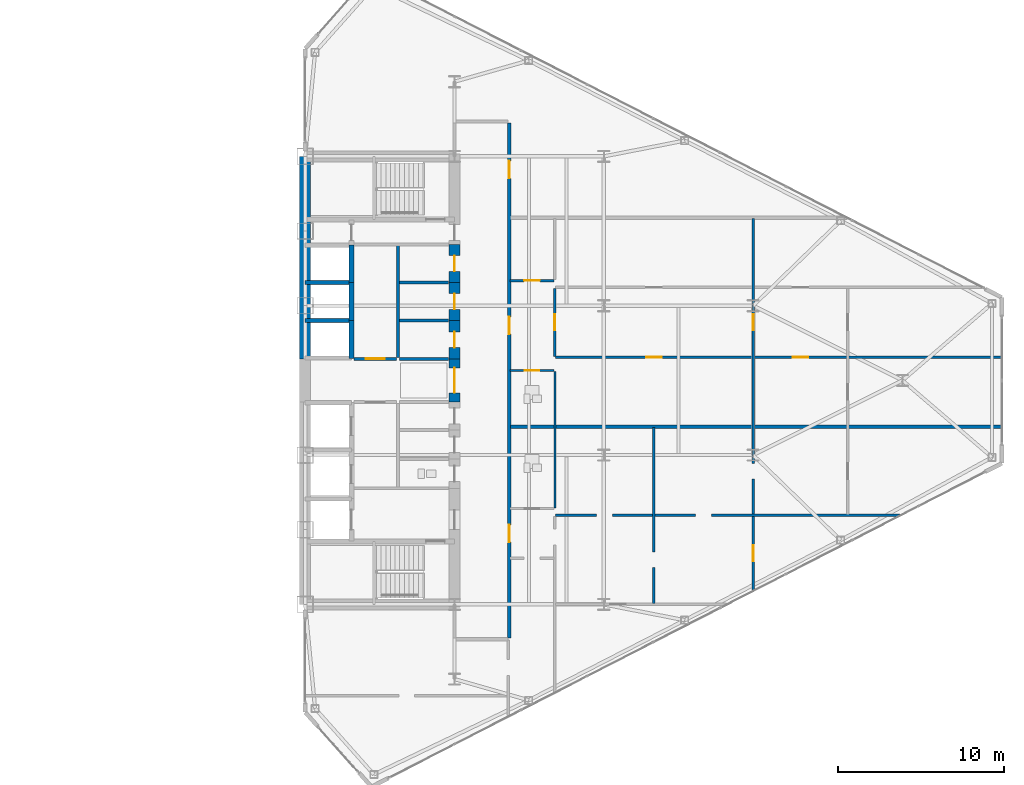
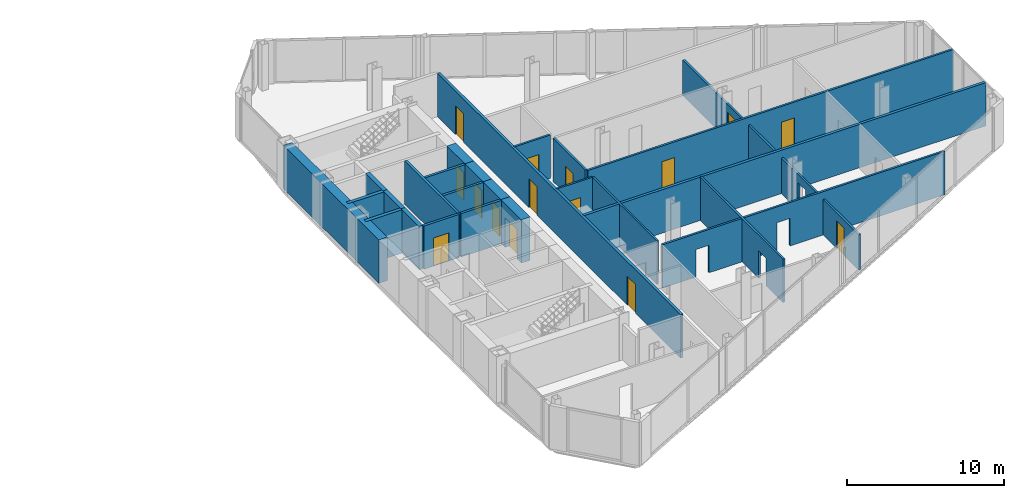
# One storey, part 20 of 24: 25 walls, 15 doors, 19 openings.
"""IFC4 building model written with IfcOpenShell, lengths in metres."""

from ifc_helpers import new_model, si_unit, direction, frame, frame_2d, origin, place, context, subcontext, project, spatial, rectangle, extrude, source, transform, mapped, material, layer, layer_set, type_object, type_shapes, element, fill, save


model = new_model("IFC4")

# Units and contexts
model_context = context("Model", 3, precision=1e-05, world=origin(), true_north=direction((0.0, 1.0)))
body_context = subcontext(model_context, "Body", "Model", "MODEL_VIEW")
ifc_project = project(units=[si_unit("LENGTHUNIT", "METRE"), si_unit("AREAUNIT", "SQUARE_METRE"), si_unit("VOLUMEUNIT", "CUBIC_METRE"), si_unit("PLANEANGLEUNIT", "RADIAN"), si_unit("MASSUNIT", "GRAM", prefix="KILO")], contexts=[model_context])

# Site, building, storey
site_placement = place(None, origin())
site = spatial("IfcSite", under=ifc_project, at=site_placement, CompositionType="ELEMENT")
building_placement = place(site_placement, origin())
building = spatial("IfcBuilding", under=site, at=building_placement, Name="Seokmaru Belvedere", CompositionType="ELEMENT")
storey_placement = place(building_placement, frame((0.0, 0.0, 121.199951171875)))
storey = spatial("IfcBuildingStorey", under=building, at=storey_placement, Name="L32", CompositionType="ELEMENT", Elevation=121.199951171875)

# Wall, openings
ifc_material_1 = material(Name="Fire-Rated Gypsum Shaftwall")
ifc_layer_1 = layer(ifc_material_1, 0.14990234375)
ifc_layer_set_1 = layer_set([ifc_layer_1], Name="Fire-Rated Gypsum Shaftwall")
wall_type_1 = type_object("IfcWallType", Name="Apartment Fire-Acoustic Room Partition 150", PredefinedType="PARTITIONING", material=ifc_layer_set_1)
wall_1_placement = place(storey_placement, frame((42.60009765625, -8.139892578125, 0.0), z_axis=(0.0, 0.0, 1.0), x_axis=(1.0, 0.0, 0.0)))
wall_1 = element("IfcWall", 1, at=wall_1_placement, inside=storey, type_object=wall_type_1, Name="L32 Interior Partition 007", PredefinedType="PARTITIONING", context=body_context, shape_type="SweptSolid", body=[
    extrude(rectangle(XDim=20.809814453125, YDim=0.14990234375, at=frame_2d((10.40478515625, 0.0))), origin(), (0.0, 0.0, 1.0), 3.380126953125),
])
opening_1_placement = place(wall_1_placement, frame((2.46240234375, 0.0, 0.0)))
element("IfcOpeningElement", 2, at=opening_1_placement, cuts=wall_1, Name="L32 Cased Opening 035", PredefinedType="OPENING", context=body_context, shape_type="SweptSolid", body=[
    extrude(rectangle(XDim=0.949951171875, YDim=2.14990234375, at=frame_2d((0.47509765625, 1.074951171875))), frame((0.0, 0.0849609375, 0.0), z_axis=(0.0, -1.0, 0.0), x_axis=(1.0, 0.0, 0.0)), (0.0, 0.0, 1.0), 0.169921875),
])
opening_2_placement = place(wall_1_placement, frame((8.4375, 0.0, 0.0)))
element("IfcOpeningElement", 3, at=opening_2_placement, cuts=wall_1, Name="L32 Cased Opening 037", PredefinedType="OPENING", context=body_context, shape_type="SweptSolid", body=[
    extrude(rectangle(XDim=0.949951171875, YDim=2.14990234375, at=frame_2d((0.47509765625, 1.074951171875))), frame((0.0, 0.0849609375, 0.0), z_axis=(0.0, -1.0, 0.0), x_axis=(1.0, 0.0, 0.0)), (0.0, 0.0, 1.0), 0.169921875),
])

# Wall, openings, doors
wall_2_placement = place(storey_placement, frame((42.60009765625, 1.39990234375, 0.0), z_axis=(0.0, 0.0, 1.0), x_axis=(1.0, 0.0, 0.0)))
wall_2 = element("IfcWall", 4, at=wall_2_placement, inside=storey, type_object=wall_type_1, Name="L32 Interior Partition 015", PredefinedType="PARTITIONING", context=body_context, shape_type="SweptSolid", body=[
    extrude(rectangle(XDim=26.934814453125, YDim=0.14990234375, at=frame_2d((13.46728515625, 0.0))), origin(), (0.0, 0.0, 1.0), 3.380126953125),
])
opening_3_placement = place(wall_2_placement, frame((5.449951171875, 0.0, 0.0)))
opening_3 = element("IfcOpeningElement", 5, at=opening_3_placement, cuts=wall_2, Name="Opening D05", PredefinedType="OPENING", context=body_context, shape_type="SweptSolid", body=[
    extrude(rectangle(XDim=0.949951171875, YDim=2.14990234375, at=frame_2d((0.47509765625, 1.074951171875))), frame((0.0, 0.0849609375, 0.0), z_axis=(0.0, -1.0, 0.0), x_axis=(1.0, 0.0, 0.0)), (0.0, 0.0, 1.0), 0.169921875),
])
opening_4_placement = place(wall_2_placement, frame((14.27490234375, 0.0, 0.0)))
opening_4 = element("IfcOpeningElement", 6, at=opening_4_placement, cuts=wall_2, Name="Opening D05", PredefinedType="OPENING", context=body_context, shape_type="SweptSolid", body=[
    extrude(rectangle(XDim=0.949951171875, YDim=2.14990234375, at=frame_2d((0.47509765625, 1.074951171875))), frame((0.0, 0.0849609375, 0.0), z_axis=(0.0, -1.0, 0.0), x_axis=(1.0, 0.0, 0.0)), (0.0, 0.0, 1.0), 0.169921875),
])
ifc_material_2 = material(Name="Engineered White Oak Timber", Category="wood")
door_type_1 = type_object("IfcDoorType", Name="Apartment Interior Fire-Rated Oak Door 950x2150", OperationType="NOTDEFINED", PredefinedType="DOOR", material=ifc_material_2)
shared_shape_1 = source(origin(), body_context, "Body", "SweptSolid", [
    extrude(rectangle(XDim=0.949951171875, YDim=2.14990234375, at=frame_2d((0.47509765625, 1.074951171875))), frame((0.0, 0.02490234375, 0.0), z_axis=(0.0, -1.0, 0.0), x_axis=(1.0, 0.0, 0.0)), (0.0, 0.0, 1.0), 0.050048828125),
])
type_shapes(door_type_1, [shared_shape_1])
door_1_placement = place(opening_3_placement, origin())
door_1 = element("IfcDoor", 7, at=door_1_placement, inside=storey, type_object=door_type_1, Name="L32 Interior Door 047", OperationType="SINGLE_SWING_RIGHT", OverallHeight=2.14990234375, OverallWidth=0.949951171875, PredefinedType="DOOR", context=body_context, shape_type="MappedRepresentation", body=[
    mapped(shared_shape_1, transform((0.0, 0.0, 0.0), scale=1.0)),
])
fill(opening_3, door_1)
door_2_placement = place(opening_4_placement, origin())
door_2 = element("IfcDoor", 8, at=door_2_placement, inside=storey, type_object=door_type_1, Name="L32 Interior Door 049", OperationType="SINGLE_SWING_RIGHT", OverallHeight=2.14990234375, OverallWidth=0.949951171875, PredefinedType="DOOR", context=body_context, shape_type="MappedRepresentation", body=[
    mapped(shared_shape_1, transform((0.0, 0.0, 0.0), scale=1.0)),
])
fill(opening_4, door_2)

# Wall, opening, door
wall_3_placement = place(storey_placement, frame((39.85009765625, 6.02001953125, 0.0), z_axis=(0.0, 0.0, 1.0), x_axis=(1.0, 0.0, 0.0)))
wall_3 = element("IfcWall", 9, at=wall_3_placement, inside=storey, type_object=wall_type_1, Name="L32 Interior Partition 018", PredefinedType="PARTITIONING", context=body_context, shape_type="SweptSolid", body=[
    extrude(rectangle(XDim=2.64990234375, YDim=0.14990234375, at=frame_2d((1.324951171875, 0.0))), origin(), (0.0, 0.0, 1.0), 3.380126953125),
])
opening_5_placement = place(wall_3_placement, frame((0.85009765625, 0.0, 0.0)))
opening_5 = element("IfcOpeningElement", 10, at=opening_5_placement, cuts=wall_3, Name="Opening D05", PredefinedType="OPENING", context=body_context, shape_type="SweptSolid", body=[
    extrude(rectangle(XDim=0.949951171875, YDim=2.14990234375, at=frame_2d((0.47509765625, 1.074951171875))), frame((0.0, 0.0849609375, 0.0), z_axis=(0.0, -1.0, 0.0), x_axis=(1.0, 0.0, 0.0)), (0.0, 0.0, 1.0), 0.169921875),
])
door_3_placement = place(opening_5_placement, origin())
door_3 = element("IfcDoor", 11, at=door_3_placement, inside=storey, type_object=door_type_1, Name="L32 Interior Door 044", OperationType="SINGLE_SWING_RIGHT", OverallHeight=2.14990234375, OverallWidth=0.949951171875, PredefinedType="DOOR", context=body_context, shape_type="MappedRepresentation", body=[
    mapped(shared_shape_1, transform((0.0, 0.0, 0.0), scale=1.0)),
])
fill(opening_5, door_3)

wall_4_placement = place(storey_placement, frame((42.550048828125, 1.449951171875, 0.0), z_axis=(0.0, 0.0, 1.0), x_axis=(0.0, 1.0, 0.0)))
wall_4 = element("IfcWall", 12, at=wall_4_placement, inside=storey, type_object=wall_type_1, Name="L32 Interior Partition 043", PredefinedType="PARTITIONING", context=body_context, shape_type="SweptSolid", body=[
    extrude(rectangle(XDim=4.10009765625, YDim=0.14990234375, at=frame_2d((2.050048828125, 0.0))), origin(), (0.0, 0.0, 1.0), 3.380126953125),
])
opening_6_placement = place(wall_4_placement, frame((1.574951171875, 0.0, 0.0)))
opening_6 = element("IfcOpeningElement", 13, at=opening_6_placement, cuts=wall_4, Name="Opening D05", PredefinedType="OPENING", context=body_context, shape_type="SweptSolid", body=[
    extrude(rectangle(XDim=0.949951171875, YDim=2.14990234375, at=frame_2d((0.47509765625, 1.074951171875))), frame((0.0, 0.0849609375, 0.0), z_axis=(0.0, -1.0, 0.0), x_axis=(1.0, 0.0, 0.0)), (0.0, 0.0, 1.0), 0.169921875),
])
door_4_placement = place(opening_6_placement, origin())
door_4 = element("IfcDoor", 14, at=door_4_placement, inside=storey, type_object=door_type_1, Name="L32 Interior Door 045", OperationType="SINGLE_SWING_LEFT", OverallHeight=2.14990234375, OverallWidth=0.949951171875, PredefinedType="DOOR", context=body_context, shape_type="MappedRepresentation", body=[
    mapped(shared_shape_1, transform((0.0, 0.0, 0.0), scale=1.0)),
])
fill(opening_6, door_4)

# Wall, opening
wall_5_placement = place(storey_placement, frame((48.52001953125, -13.43603515625, 0.0), z_axis=(0.0, 0.0, 1.0), x_axis=(0.0, 1.0, 0.0)))
wall_5 = element("IfcWall", 15, at=wall_5_placement, inside=storey, type_object=wall_type_1, Name="L32 Interior Partition 045", PredefinedType="PARTITIONING", context=body_context, shape_type="SweptSolid", body=[
    extrude(rectangle(XDim=10.5859375, YDim=0.14990234375, at=frame_2d((5.29296875, 0.0))), origin(), (0.0, 0.0, 1.0), 3.380126953125),
])
opening_7_placement = place(wall_5_placement, frame((2.146240234375, 0.0, 0.0)))
element("IfcOpeningElement", 16, at=opening_7_placement, cuts=wall_5, Name="L32 Cased Opening 034", PredefinedType="OPENING", context=body_context, shape_type="SweptSolid", body=[
    extrude(rectangle(XDim=0.949951171875, YDim=2.14990234375, at=frame_2d((0.47509765625, 1.074951171875))), frame((0.0, 0.0849609375, 0.0), z_axis=(0.0, -1.0, 0.0), x_axis=(1.0, 0.0, 0.0)), (0.0, 0.0, 1.0), 0.169921875),
])

# Wall, openings, doors
wall_6_placement = place(storey_placement, frame((54.5, -12.73193359375, 0.0), z_axis=(0.0, 0.0, 1.0), x_axis=(0.0, 1.0, 0.0)))
wall_6 = element("IfcWall", 17, at=wall_6_placement, inside=storey, type_object=wall_type_1, Name="L32 Interior Partition 046", PredefinedType="PARTITIONING", context=body_context, shape_type="SweptSolid", body=[
    extrude(rectangle(XDim=22.48193359375, YDim=0.14990234375, at=frame_2d((11.240966796875, 0.0))), origin(), (0.0, 0.0, 1.0), 2.780029296875),
])
opening_8_placement = place(wall_6_placement, frame((1.836669921875, 0.0, 0.0)))
opening_8 = element("IfcOpeningElement", 18, at=opening_8_placement, cuts=wall_6, Name="Opening D05", PredefinedType="OPENING", context=body_context, shape_type="SweptSolid", body=[
    extrude(rectangle(XDim=0.949951171875, YDim=2.14990234375, at=frame_2d((0.47509765625, 1.074951171875))), frame((0.0, 0.0849609375, 0.0), z_axis=(0.0, -1.0, 0.0), x_axis=(1.0, 0.0, 0.0)), (0.0, 0.0, 1.0), 0.169921875),
])
opening_9_placement = place(wall_6_placement, frame((6.785400390625, 0.0, 0.0)))
element("IfcOpeningElement", 19, at=opening_9_placement, cuts=wall_6, Name="L32 Cased Opening 038", PredefinedType="OPENING", context=body_context, shape_type="SweptSolid", body=[
    extrude(rectangle(XDim=0.949951171875, YDim=2.14990234375, at=frame_2d((0.47509765625, 1.074951171875))), frame((0.0, 0.0849609375, 0.0), z_axis=(0.0, -1.0, 0.0), x_axis=(1.0, 0.0, 0.0)), (0.0, 0.0, 1.0), 0.169921875),
])
opening_10_placement = place(wall_6_placement, frame((15.757080078125, 0.0, 0.0)))
opening_10 = element("IfcOpeningElement", 20, at=opening_10_placement, cuts=wall_6, Name="Opening D05", PredefinedType="OPENING", context=body_context, shape_type="SweptSolid", body=[
    extrude(rectangle(XDim=0.949951171875, YDim=2.14990234375, at=frame_2d((0.47509765625, 1.074951171875))), frame((0.0, 0.0849609375, 0.0), z_axis=(0.0, -1.0, 0.0), x_axis=(1.0, 0.0, 0.0)), (0.0, 0.0, 1.0), 0.169921875),
])
door_5_placement = place(opening_8_placement, origin())
door_5 = element("IfcDoor", 21, at=door_5_placement, inside=storey, type_object=door_type_1, Name="L32 Interior Door 036", OperationType="SINGLE_SWING_RIGHT", OverallHeight=2.14990234375, OverallWidth=0.949951171875, PredefinedType="DOOR", context=body_context, shape_type="MappedRepresentation", body=[
    mapped(shared_shape_1, transform((0.0, 0.0, 0.0), scale=1.0)),
])
fill(opening_8, door_5)
door_6_placement = place(opening_10_placement, origin())
door_6 = element("IfcDoor", 22, at=door_6_placement, inside=storey, type_object=door_type_1, Name="L32 Interior Door 046", OperationType="SINGLE_SWING_RIGHT", OverallHeight=2.14990234375, OverallWidth=0.949951171875, PredefinedType="DOOR", context=body_context, shape_type="MappedRepresentation", body=[
    mapped(shared_shape_1, transform((0.0, 0.0, 0.0), scale=1.0)),
])
fill(opening_10, door_6)

# Wall
ifc_layer_2 = layer(ifc_material_1, 0.179931640625)
ifc_layer_set_2 = layer_set([ifc_layer_2], Name="Fire-Rated Gypsum Shaftwall")
wall_type_2 = type_object("IfcWallType", Name="Core Service Fire Partition 180", PredefinedType="PARTITIONING", material=ifc_layer_set_2)
wall_7_placement = place(storey_placement, frame((33.10009765625, 1.3798828125, 0.0), z_axis=(0.0, 0.0, 1.0), x_axis=(0.0, 1.0, 0.0)))
element("IfcWall", 23, at=wall_7_placement, inside=storey, type_object=wall_type_2, Name="L32 East North Core Service Back Wall", PredefinedType="PARTITIONING", context=body_context, shape_type="SweptSolid", body=[
    extrude(rectangle(XDim=6.740234375, YDim=0.179931640625, at=frame_2d((3.3701171875, 0.0))), origin(), (0.0, 0.0, 1.0), 3.380126953125),
])

# Wall, opening, door
wall_8_placement = place(storey_placement, frame((30.449951171875, 1.300048828125, 0.0), z_axis=(0.0, 0.0, 1.0), x_axis=(1.0, 0.0, 0.0)))
wall_8 = element("IfcWall", 24, at=wall_8_placement, inside=storey, type_object=wall_type_2, Name="L32 East North Lift Lobby Foyer Wall", PredefinedType="PARTITIONING", context=body_context, shape_type="SweptSolid", body=[
    extrude(rectangle(XDim=2.570068359375, YDim=0.179931640625, at=frame_2d((1.28515625, 0.0))), origin(), (0.0, 0.0, 1.0), 3.380126953125),
])
opening_11_placement = place(wall_8_placement, frame((0.7099609375, 0.0, 0.0)))
opening_11 = element("IfcOpeningElement", 25, at=opening_11_placement, cuts=wall_8, Name="Opening D02", PredefinedType="OPENING", context=body_context, shape_type="SweptSolid", body=[
    extrude(rectangle(XDim=1.14990234375, YDim=2.199951171875, at=frame_2d((0.574951171875, 1.10009765625))), frame((0.0, 0.10009765625, 0.0), z_axis=(0.0, -1.0, 0.0), x_axis=(1.0, 0.0, 0.0)), (0.0, 0.0, 1.0), 0.199951171875),
])
ifc_material_3 = material(Name="Fire-Rated Steel Leaf", Category="steel")
door_type_2 = type_object("IfcDoorType", Name="Lobby and Vestibule Fire Door 1150x2200", OperationType="NOTDEFINED", PredefinedType="DOOR", material=ifc_material_3)
shared_shape_2 = source(origin(), body_context, "Body", "SweptSolid", [
    extrude(rectangle(XDim=1.14990234375, YDim=2.199951171875, at=frame_2d((0.574951171875, 1.10009765625))), frame((0.0, 0.02490234375, 0.0), z_axis=(0.0, -1.0, 0.0), x_axis=(1.0, 0.0, 0.0)), (0.0, 0.0, 1.0), 0.050048828125),
])
type_shapes(door_type_2, [shared_shape_2])
door_7_placement = place(opening_11_placement, origin())
door_7 = element("IfcDoor", 26, at=door_7_placement, inside=storey, type_object=door_type_2, Name="L32 East North Lift Lobby Door", OperationType="SINGLE_SWING_LEFT", OverallHeight=2.199951171875, OverallWidth=1.14990234375, PredefinedType="DOOR", context=body_context, shape_type="MappedRepresentation", body=[
    mapped(shared_shape_2, transform((0.0, 0.0, 0.0), scale=1.0)),
])
fill(opening_11, door_7)

# Walls
for number, where, z_axis, x_axis, name in (
    (27, (33.199951171875, 1.300048828125, 0.0), (0.0, 0.0, 1.0), (1.0, 0.0, 0.0), "L32 East Foyer Side Wall N"),
    (28, (33.199951171875, 3.60009765625, 0.0), (0.0, 0.0, 1.0), (1.0, 0.0, 0.0), "L32 East Core Service Partition 3"),
    (29, (33.199951171875, 5.89990234375, 0.0), (0.0, 0.0, 1.0), (1.0, 0.0, 0.0), "L32 East Core Service Partition 4"),
):
    element("IfcWall", number, at=place(storey_placement, frame(where, z_axis=z_axis, x_axis=x_axis)), inside=storey, type_object=wall_type_2, Name=name, PredefinedType="PARTITIONING", context=body_context, shape_type="SweptSolid", body=[
        extrude(rectangle(XDim=2.949951171875, YDim=0.179931640625, at=frame_2d((1.47509765625, 0.0))), origin(), (0.0, 0.0, 1.0), 3.380126953125),
    ])
ifc_material_4 = material(Name="Concrete C50 (50 MPa)", Category="concrete")
ifc_layer_3 = layer(ifc_material_4, 0.25)
ifc_layer_set_3 = layer_set([ifc_layer_3], Name="Concrete C50 (50 MPa)")
wall_type_3 = type_object("IfcWallType", Name="Hoistway Transverse Concrete Divider Wall 250", PredefinedType="SHEAR", material=ifc_layer_set_3)
for number, where, z_axis, x_axis, name in (
    (30, (27.5, 3.60009765625, 0.0), (0.0, 0.0, 1.0), (1.0, 0.0, 0.0), "L32 East Hoistway Divider Core Wall 5"),
    (31, (27.5, 5.89990234375, 0.0), (0.0, 0.0, 1.0), (1.0, 0.0, 0.0), "L32 East Hoistway Divider Core Wall 6"),
):
    element("IfcWall", number, at=place(storey_placement, frame(where, z_axis=z_axis, x_axis=x_axis)), inside=storey, type_object=wall_type_3, Name=name, PredefinedType="SHEAR", context=body_context, shape_type="SweptSolid", body=[
        extrude(rectangle(XDim=2.800048828125, YDim=0.25, at=frame_2d((1.39990234375, 0.0))), origin(), (0.0, 0.0, 1.0), 3.380126953125),
    ])
ifc_layer_4 = layer(ifc_material_1, 0.199951171875)
ifc_layer_set_4 = layer_set([ifc_layer_4], Name="Fire-Rated Gypsum Shaftwall")
wall_type_4 = type_object("IfcWallType", Name="Inter-Tenancy Fire Compartment Partition 200", PredefinedType="PARTITIONING", material=ifc_layer_set_4)
wall_9_placement = place(storey_placement, frame((39.8798828125, -2.800048828125, 0.0), z_axis=(0.0, 0.0, 1.0), x_axis=(1.0, 0.0, 0.0)))
element("IfcWall", 32, at=wall_9_placement, inside=storey, type_object=wall_type_4, Name="L32 Interior Partition 011", PredefinedType="PARTITIONING", context=body_context, shape_type="SweptSolid", body=[
    extrude(rectangle(XDim=29.625, YDim=0.199951171875, at=frame_2d((14.8125, 0.0))), origin(), (0.0, 0.0, 1.0), 3.380126953125),
])

# Wall, openings, doors
wall_10_placement = place(storey_placement, frame((39.800048828125, -15.514892578125, 0.0), z_axis=(0.0, 0.0, 1.0), x_axis=(0.0, 1.0, 0.0)))
wall_10 = element("IfcWall", 33, at=wall_10_placement, inside=storey, type_object=wall_type_4, Name="L32 Interior Partition 040", PredefinedType="PARTITIONING", context=body_context, shape_type="SweptSolid", body=[
    extrude(rectangle(XDim=31.02978515625, YDim=0.199951171875, at=frame_2d((15.514892578125, 0.0))), origin(), (0.0, 0.0, 1.0), 3.380126953125),
])
opening_12_placement = place(wall_10_placement, frame((5.762451171875, 0.0, 0.0)))
opening_12 = element("IfcOpeningElement", 34, at=opening_12_placement, cuts=wall_10, Name="Opening D03", PredefinedType="OPENING", context=body_context, shape_type="SweptSolid", body=[
    extrude(rectangle(XDim=1.050048828125, YDim=2.25, at=frame_2d((0.52490234375, 1.125))), frame((0.0, 0.10986328125, 0.0), z_axis=(0.0, -1.0, 0.0), x_axis=(1.0, 0.0, 0.0)), (0.0, 0.0, 1.0), 0.219970703125),
])
opening_13_placement = place(wall_10_placement, frame((18.301025390625, 0.0, 0.0)))
opening_13 = element("IfcOpeningElement", 35, at=opening_13_placement, cuts=wall_10, Name="Opening D03", PredefinedType="OPENING", context=body_context, shape_type="SweptSolid", body=[
    extrude(rectangle(XDim=1.050048828125, YDim=2.25, at=frame_2d((0.52490234375, 1.125))), frame((0.0, 0.10986328125, 0.0), z_axis=(0.0, -1.0, 0.0), x_axis=(1.0, 0.0, 0.0)), (0.0, 0.0, 1.0), 0.219970703125),
])
opening_14_placement = place(wall_10_placement, frame((27.68994140625, 0.0, 0.0)))
opening_14 = element("IfcOpeningElement", 36, at=opening_14_placement, cuts=wall_10, Name="Opening D03", PredefinedType="OPENING", context=body_context, shape_type="SweptSolid", body=[
    extrude(rectangle(XDim=1.050048828125, YDim=2.25, at=frame_2d((0.52490234375, 1.125))), frame((0.0, 0.10986328125, 0.0), z_axis=(0.0, -1.0, 0.0), x_axis=(1.0, 0.0, 0.0)), (0.0, 0.0, 1.0), 0.219970703125),
])
door_type_3 = type_object("IfcDoorType", Name="Apartment Entrance Fire Door 1050x2250", OperationType="NOTDEFINED", PredefinedType="DOOR", material=ifc_material_3)
shared_shape_3 = source(origin(), body_context, "Body", "SweptSolid", [
    extrude(rectangle(XDim=1.050048828125, YDim=2.25, at=frame_2d((0.52490234375, 1.125))), frame((0.0, 0.02490234375, 0.0), z_axis=(0.0, -1.0, 0.0), x_axis=(1.0, 0.0, 0.0)), (0.0, 0.0, 1.0), 0.050048828125),
])
type_shapes(door_type_3, [shared_shape_3])
door_8_placement = place(opening_12_placement, origin())
door_8 = element("IfcDoor", 37, at=door_8_placement, inside=storey, type_object=door_type_3, Name="L32 Interior Door 029", OperationType="SINGLE_SWING_LEFT", OverallHeight=2.25, OverallWidth=1.050048828125, PredefinedType="DOOR", context=body_context, shape_type="MappedRepresentation", body=[
    mapped(shared_shape_3, transform((0.0, 0.0, 0.0), scale=1.0)),
])
fill(opening_12, door_8)
door_9_placement = place(opening_13_placement, origin())
door_9 = element("IfcDoor", 38, at=door_9_placement, inside=storey, type_object=door_type_3, Name="L32 Interior Door 042", OperationType="SINGLE_SWING_RIGHT", OverallHeight=2.25, OverallWidth=1.050048828125, PredefinedType="DOOR", context=body_context, shape_type="MappedRepresentation", body=[
    mapped(shared_shape_3, transform((0.0, 0.0, 0.0), scale=1.0)),
])
fill(opening_13, door_9)
door_10_placement = place(opening_14_placement, origin())
door_10 = element("IfcDoor", 39, at=door_10_placement, inside=storey, type_object=door_type_3, Name="L32 Interior Door 053", OperationType="SINGLE_SWING_LEFT", OverallHeight=2.25, OverallWidth=1.050048828125, PredefinedType="DOOR", context=body_context, shape_type="MappedRepresentation", body=[
    mapped(shared_shape_3, transform((0.0, 0.0, 0.0), scale=1.0)),
])
fill(opening_14, door_10)

# Walls
ifc_layer_5 = layer(ifc_material_4, 0.300048828125)
ifc_layer_set_5 = layer_set([ifc_layer_5], Name="Concrete C50 (50 MPa)")
wall_type_5 = type_object("IfcWallType", Name="Internal Core Stair and Hoistway Wall 300", PredefinedType="SHEAR", material=ifc_layer_set_5)
wall_11_placement = place(storey_placement, frame((30.300048828125, 1.320068359375, 0.0), z_axis=(0.0, 0.0, 1.0), x_axis=(0.0, 1.0, 0.0)))
element("IfcWall", 40, at=wall_11_placement, inside=storey, type_object=wall_type_5, Name="L32 East North Hoistway Wall PH1", PredefinedType="SHEAR", context=body_context, shape_type="SweptSolid", body=[
    extrude(rectangle(XDim=2.280029296875, YDim=0.300048828125, at=frame_2d((1.14013671875, 0.0))), origin(), (0.0, 0.0, 1.0), 3.380126953125),
])
wall_12_placement = place(storey_placement, frame((30.300048828125, 3.60009765625, 0.0), z_axis=(0.0, 0.0, 1.0), x_axis=(0.0, 1.0, 0.0)))
element("IfcWall", 41, at=wall_12_placement, inside=storey, type_object=wall_type_5, Name="L32 East North Hoistway Wall PH2", PredefinedType="SHEAR", context=body_context, shape_type="SweptSolid", body=[
    extrude(rectangle(XDim=2.2998046875, YDim=0.300048828125, at=frame_2d((1.14990234375, 0.0))), origin(), (0.0, 0.0, 1.0), 3.380126953125),
])
wall_13_placement = place(storey_placement, frame((30.300048828125, 5.89990234375, 0.0), z_axis=(0.0, 0.0, 1.0), x_axis=(0.0, 1.0, 0.0)))
element("IfcWall", 42, at=wall_13_placement, inside=storey, type_object=wall_type_5, Name="L32 East North Hoistway Wall OBS", PredefinedType="SHEAR", context=body_context, shape_type="SweptSolid", body=[
    extrude(rectangle(XDim=2.25, YDim=0.300048828125, at=frame_2d((1.125, 0.0))), origin(), (0.0, 0.0, 1.0), 3.380126953125),
])
ifc_material_5 = material(Name="Concrete C60 (60 MPa)", Category="concrete")
ifc_layer_6 = layer(ifc_material_5, 0.64990234375)
ifc_layer_set_6 = layer_set([ifc_layer_6], Name="Concrete C60 (60 MPa)")
wall_type_6 = type_object("IfcWallType", Name="Mid-Low Reinforced Concrete Core Wall 650", PredefinedType="SHEAR", material=ifc_layer_set_6)
wall_14_placement = place(storey_placement, frame((27.5, 1.300048828125, 0.0), z_axis=(0.0, 0.0, 1.0), x_axis=(0.0, 1.0, 0.0)))
element("IfcWall", 43, at=wall_14_placement, inside=storey, type_object=wall_type_6, Name="L32 East Portal Spine Core Wall North", PredefinedType="SHEAR", context=body_context, shape_type="SweptSolid", body=[
    extrude(rectangle(XDim=12.199951171875, YDim=0.64990234375, at=frame_2d((6.10009765625, 0.0))), origin(), (0.0, 0.0, 1.0), 3.380126953125),
])

# Wall, opening, door
wall_15_placement = place(storey_placement, frame((36.5, -1.300048828125, 0.0), z_axis=(0.0, 0.0, 1.0), x_axis=(0.0, 1.0, 0.0)))
wall_15 = element("IfcWall", 44, at=wall_15_placement, inside=storey, type_object=wall_type_6, Name="L32 East West Core Wall FOY", PredefinedType="SHEAR", context=body_context, shape_type="SweptSolid", body=[
    extrude(rectangle(XDim=2.60009765625, YDim=0.64990234375, at=frame_2d((1.300048828125, 0.0))), origin(), (0.0, 0.0, 1.0), 3.380126953125),
])
opening_15_placement = place(wall_15_placement, frame((0.550048828125, 0.0, 0.0)))
opening_15 = element("IfcOpeningElement", 45, at=opening_15_placement, cuts=wall_15, Name="Opening D08", PredefinedType="OPENING", context=body_context, shape_type="SweptSolid", body=[
    extrude(rectangle(XDim=1.5, YDim=2.300048828125, at=frame_2d((0.75, 1.14990234375))), frame((0.0, 0.3349609375, 0.0), z_axis=(0.0, -1.0, 0.0), x_axis=(1.0, 0.0, 0.0)), (0.0, 0.0, 1.0), 0.669921875),
])
door_type_4 = type_object("IfcDoorType", Name="Cross-Corridor Compartment Double Fire Door 1500x2300", OperationType="DOUBLE_SWING_LEFT", PredefinedType="DOOR", material=ifc_material_3)
shared_shape_4 = source(origin(), body_context, "Body", "SweptSolid", [
    extrude(rectangle(XDim=1.5, YDim=2.300048828125, at=frame_2d((0.75, 1.14990234375))), frame((0.0, 0.02490234375, 0.0), z_axis=(0.0, -1.0, 0.0), x_axis=(1.0, 0.0, 0.0)), (0.0, 0.0, 1.0), 0.050048828125),
])
type_shapes(door_type_4, [shared_shape_4])
door_11_placement = place(opening_15_placement, origin())
door_11 = element("IfcDoor", 46, at=door_11_placement, inside=storey, type_object=door_type_4, Name="L32 East Core Foyer Compartment Door", OperationType="DOUBLE_SWING_LEFT", OverallHeight=2.300048828125, OverallWidth=1.5, PredefinedType="DOOR", context=body_context, shape_type="MappedRepresentation", body=[
    mapped(shared_shape_4, transform((0.0, 0.0, 0.0), scale=1.0)),
])
fill(opening_15, door_11)

wall_16_placement = place(storey_placement, frame((36.5, 1.300048828125, 0.0), z_axis=(0.0, 0.0, 1.0), x_axis=(0.0, 1.0, 0.0)))
wall_16 = element("IfcWall", 47, at=wall_16_placement, inside=storey, type_object=wall_type_6, Name="L32 East West Core Wall CS4", PredefinedType="SHEAR", context=body_context, shape_type="SweptSolid", body=[
    extrude(rectangle(XDim=2.300048828125, YDim=0.64990234375, at=frame_2d((1.14990234375, 0.0))), origin(), (0.0, 0.0, 1.0), 3.380126953125),
])
opening_16_placement = place(wall_16_placement, frame((0.675048828125, 0.0, 0.0)))
opening_16 = element("IfcOpeningElement", 48, at=opening_16_placement, cuts=wall_16, Name="Opening D04", PredefinedType="OPENING", context=body_context, shape_type="SweptSolid", body=[
    extrude(rectangle(XDim=0.949951171875, YDim=2.14990234375, at=frame_2d((0.47509765625, 1.074951171875))), frame((0.0, 0.3349609375, 0.0), z_axis=(0.0, -1.0, 0.0), x_axis=(1.0, 0.0, 0.0)), (0.0, 0.0, 1.0), 0.669921875),
])
door_type_5 = type_object("IfcDoorType", Name="Core Service Room Fire Door 950x2150", OperationType="NOTDEFINED", PredefinedType="DOOR", material=ifc_material_3)
shared_shape_5 = source(origin(), body_context, "Body", "SweptSolid", [
    extrude(rectangle(XDim=0.949951171875, YDim=2.14990234375, at=frame_2d((0.47509765625, 1.074951171875))), frame((0.0, 0.02490234375, 0.0), z_axis=(0.0, -1.0, 0.0), x_axis=(1.0, 0.0, 0.0)), (0.0, 0.0, 1.0), 0.050048828125),
])
type_shapes(door_type_5, [shared_shape_5])
door_12_placement = place(opening_16_placement, origin())
door_12 = element("IfcDoor", 49, at=door_12_placement, inside=storey, type_object=door_type_5, Name="L32 East Core Service Room Door 4", OperationType="SINGLE_SWING_LEFT", OverallHeight=2.14990234375, OverallWidth=0.949951171875, PredefinedType="DOOR", context=body_context, shape_type="MappedRepresentation", body=[
    mapped(shared_shape_5, transform((0.0, 0.0, 0.0), scale=1.0)),
])
fill(opening_16, door_12)

wall_17_placement = place(storey_placement, frame((36.5, 3.60009765625, 0.0), z_axis=(0.0, 0.0, 1.0), x_axis=(0.0, 1.0, 0.0)))
wall_17 = element("IfcWall", 50, at=wall_17_placement, inside=storey, type_object=wall_type_6, Name="L32 East West Core Wall CS5", PredefinedType="SHEAR", context=body_context, shape_type="SweptSolid", body=[
    extrude(rectangle(XDim=2.2998046875, YDim=0.64990234375, at=frame_2d((1.14990234375, 0.0))), origin(), (0.0, 0.0, 1.0), 3.380126953125),
])
opening_17_placement = place(wall_17_placement, frame((0.675048828125, 0.0, 0.0)))
opening_17 = element("IfcOpeningElement", 51, at=opening_17_placement, cuts=wall_17, Name="Opening D04", PredefinedType="OPENING", context=body_context, shape_type="SweptSolid", body=[
    extrude(rectangle(XDim=0.949951171875, YDim=2.14990234375, at=frame_2d((0.47509765625, 1.074951171875))), frame((0.0, 0.3349609375, 0.0), z_axis=(0.0, -1.0, 0.0), x_axis=(1.0, 0.0, 0.0)), (0.0, 0.0, 1.0), 0.669921875),
])
door_13_placement = place(opening_17_placement, origin())
door_13 = element("IfcDoor", 52, at=door_13_placement, inside=storey, type_object=door_type_5, Name="L32 East Core Service Room Door 5", OperationType="SINGLE_SWING_RIGHT", OverallHeight=2.14990234375, OverallWidth=0.949951171875, PredefinedType="DOOR", context=body_context, shape_type="MappedRepresentation", body=[
    mapped(shared_shape_5, transform((0.0, 0.0, 0.0), scale=1.0)),
])
fill(opening_17, door_13)

wall_18_placement = place(storey_placement, frame((36.5, 5.89990234375, 0.0), z_axis=(0.0, 0.0, 1.0), x_axis=(0.0, 1.0, 0.0)))
wall_18 = element("IfcWall", 53, at=wall_18_placement, inside=storey, type_object=wall_type_6, Name="L32 East West Core Wall CS6", PredefinedType="SHEAR", context=body_context, shape_type="SweptSolid", body=[
    extrude(rectangle(XDim=2.300048828125, YDim=0.64990234375, at=frame_2d((1.14990234375, 0.0))), origin(), (0.0, 0.0, 1.0), 3.380126953125),
])
opening_18_placement = place(wall_18_placement, frame((0.675048828125, 0.0, 0.0)))
opening_18 = element("IfcOpeningElement", 54, at=opening_18_placement, cuts=wall_18, Name="Opening D04", PredefinedType="OPENING", context=body_context, shape_type="SweptSolid", body=[
    extrude(rectangle(XDim=0.949951171875, YDim=2.14990234375, at=frame_2d((0.47509765625, 1.074951171875))), frame((0.0, 0.3349609375, 0.0), z_axis=(0.0, -1.0, 0.0), x_axis=(1.0, 0.0, 0.0)), (0.0, 0.0, 1.0), 0.669921875),
])
door_14_placement = place(opening_18_placement, origin())
door_14 = element("IfcDoor", 55, at=door_14_placement, inside=storey, type_object=door_type_5, Name="L32 East Core Service Room Door 6", OperationType="SINGLE_SWING_LEFT", OverallHeight=2.14990234375, OverallWidth=0.949951171875, PredefinedType="DOOR", context=body_context, shape_type="MappedRepresentation", body=[
    mapped(shared_shape_5, transform((0.0, 0.0, 0.0), scale=1.0)),
])
fill(opening_18, door_14)

ifc_layer_7 = layer(ifc_material_1, 0.1298828125)
ifc_layer_set_7 = layer_set([ifc_layer_7], Name="Fire-Rated Gypsum Shaftwall")
wall_type_7 = type_object("IfcWallType", Name="Moisture-Resistant Fire-Rated Bathroom Partition 130", PredefinedType="PARTITIONING", material=ifc_layer_set_7)
wall_19_placement = place(storey_placement, frame((39.85009765625, 0.60009765625, 0.0), z_axis=(0.0, 0.0, 1.0), x_axis=(1.0, 0.0, 0.0)))
wall_19 = element("IfcWall", 56, at=wall_19_placement, inside=storey, type_object=wall_type_7, Name="L32 Interior Partition 014", PredefinedType="PARTITIONING", context=body_context, shape_type="SweptSolid", body=[
    extrude(rectangle(XDim=2.64990234375, YDim=0.1298828125, at=frame_2d((1.324951171875, 0.0))), origin(), (0.0, 0.0, 1.0), 3.380126953125),
])
opening_19_placement = place(wall_19_placement, frame((0.885009765625, 0.0, 0.0)))
opening_19 = element("IfcOpeningElement", 57, at=opening_19_placement, cuts=wall_19, Name="Opening D06", PredefinedType="OPENING", context=body_context, shape_type="SweptSolid", body=[
    extrude(rectangle(XDim=0.8798828125, YDim=2.10009765625, at=frame_2d((0.43994140625, 1.050048828125))), frame((0.0, 0.074951171875, 0.0), z_axis=(0.0, -1.0, 0.0), x_axis=(1.0, 0.0, 0.0)), (0.0, 0.0, 1.0), 0.14990234375),
])
door_type_6 = type_object("IfcDoorType", Name="Bathroom and Restroom Fire-Rated Door 880x2100", OperationType="NOTDEFINED", PredefinedType="DOOR", material=ifc_material_2)
shared_shape_6 = source(origin(), body_context, "Body", "SweptSolid", [
    extrude(rectangle(XDim=0.8798828125, YDim=2.10009765625, at=frame_2d((0.43994140625, 1.050048828125))), frame((0.0, 0.02490234375, 0.0), z_axis=(0.0, -1.0, 0.0), x_axis=(1.0, 0.0, 0.0)), (0.0, 0.0, 1.0), 0.050048828125),
])
type_shapes(door_type_6, [shared_shape_6])
door_15_placement = place(opening_19_placement, origin())
door_15 = element("IfcDoor", 58, at=door_15_placement, inside=storey, type_object=door_type_6, Name="L32 Interior Door 043", OperationType="SINGLE_SWING_RIGHT", OverallHeight=2.10009765625, OverallWidth=0.8798828125, PredefinedType="DOOR", context=body_context, shape_type="MappedRepresentation", body=[
    mapped(shared_shape_6, transform((0.0, 0.0, 0.0), scale=1.0)),
])
fill(opening_19, door_15)

# Wall
wall_20_placement = place(storey_placement, frame((42.550048828125, -7.677978515625, 0.0), z_axis=(0.0, 0.0, 1.0), x_axis=(0.0, 1.0, 0.0)))
element("IfcWall", 59, at=wall_20_placement, inside=storey, type_object=wall_type_7, Name="L32 Interior Partition 042", PredefinedType="PARTITIONING", context=body_context, shape_type="SweptSolid", body=[
    extrude(rectangle(XDim=8.22802734375, YDim=0.1298828125, at=frame_2d((4.114013671875, 0.0))), origin(), (0.0, 0.0, 1.0), 3.380126953125),
])

save(model, "model.ifc")
